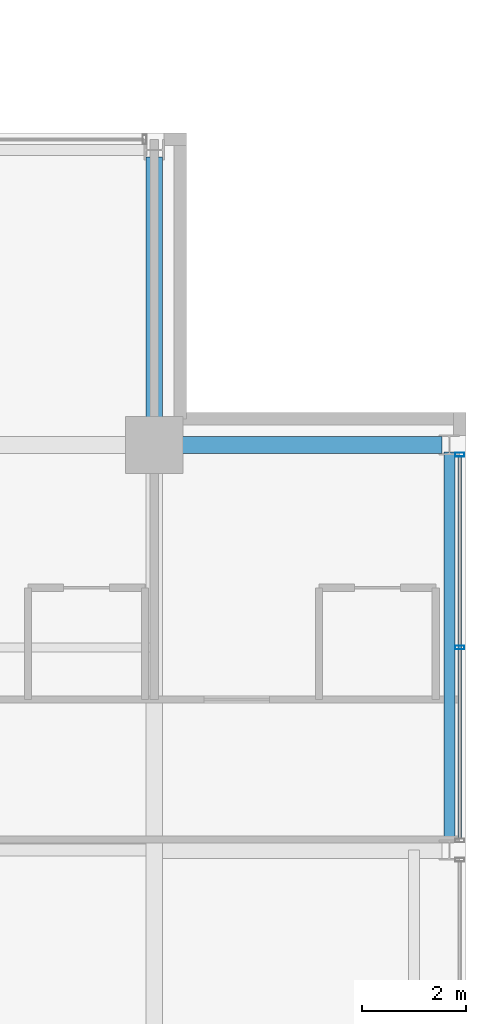
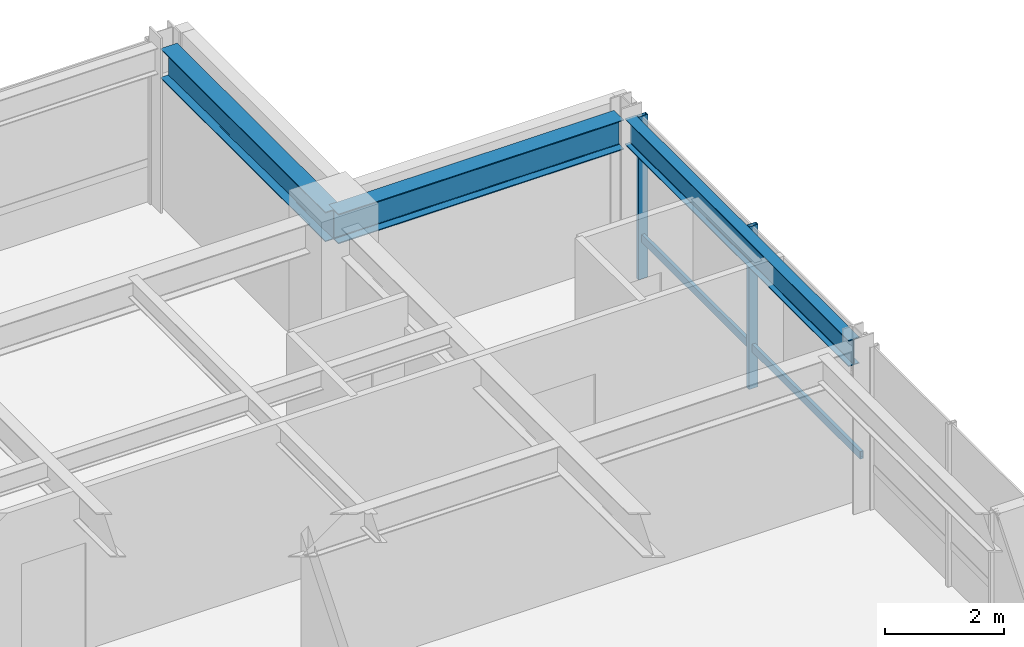
# One storey, part 22 of 30: 3 beams, 3 members, 1 element without a shape of its own.
"""IFC4 building model written with IfcOpenShell, lengths in metres."""

from ifc_helpers import new_model, si_unit, direction, frame, origin, origin_2d, place, context, subcontext, project, spatial, hollow_rectangle, i_section, extrude, material, layer, layer_set, material_profile, profile_set, type_object, element, aggregate, save


model = new_model("IFC4")

# Units and contexts
model_context = context("Model", 3, precision=1e-05, world=origin(), true_north=direction((0.0, 1.0)))
body_context = subcontext(model_context, "Body", "Model", "MODEL_VIEW")
ifc_project = project(units=[si_unit("LENGTHUNIT", "METRE"), si_unit("AREAUNIT", "SQUARE_METRE"), si_unit("VOLUMEUNIT", "CUBIC_METRE"), si_unit("PLANEANGLEUNIT", "RADIAN"), si_unit("MASSUNIT", "GRAM", prefix="KILO")], contexts=[model_context])

# Site, building, storey
site_placement = place(None, origin())
site = spatial("IfcSite", under=ifc_project, at=site_placement, CompositionType="ELEMENT")
building_placement = place(site_placement, origin())
building = spatial("IfcBuilding", under=site, at=building_placement, Name="Drelvath Grand Hotel", CompositionType="ELEMENT")
storey_placement = place(building_placement, frame((0.0, 0.0, 215.89990234375)))
storey = spatial("IfcBuildingStorey", under=building, at=storey_placement, Name="L56", CompositionType="ELEMENT", Elevation=215.89990234375)

# Curtain wall, members
ifc_material_1 = material(Name="Platinum-Mist Anodised Aluminium Frame", Category="aluminium")
ifc_layer = layer(ifc_material_1, 0.199951171875)
ifc_layer_set = layer_set([ifc_layer], Name="Platinum-Mist Anodised Aluminium Frame")
curtain_wall_type = type_object("IfcCurtainWallType", Name="Stick Curtain Wall CW-05 Platinum Mist High-Rise", PredefinedType="NOTDEFINED", material=ifc_layer_set)
curtain_wall_placement = place(storey_placement, origin())
curtain_wall = element("IfcCurtainWall", 1, at=curtain_wall_placement, inside=storey, type_object=curtain_wall_type, Name="L56 CW-05 Curtain Wall CW05-L56-EN2", PredefinedType="NOTDEFINED")
ifc_material_profile_1 = material_profile(ifc_material_1, hollow_rectangle(XDim=0.06494140625, YDim=0.159912109375, WallThickness=0.00390625, at=origin_2d()), Name="HSS160X65X4")
ifc_profile_set_1 = profile_set([ifc_material_profile_1], Name="Platinum-Mist Anodised Aluminium Frame")
member_type_1 = type_object("IfcMemberType", Name="Curtain Wall Horizontal Transom CW-05 HSS160X65X4", PredefinedType="USERDEFINED", material=ifc_profile_set_1)
member_1_placement = place(storey_placement, frame((22.080078125, 42.974609375, 0.835205078125), z_axis=(0.0, -1.0, 0.0), x_axis=(1.0, 0.0, 0.0)))
member_1 = element("IfcMember", 2, at=member_1_placement, type_object=member_type_1, Name="CW05-L56-EN2 Sill Transom", ObjectType="TRANSOM", PredefinedType="USERDEFINED", context=body_context, shape_type="SweptSolid", body=[
    extrude(hollow_rectangle(XDim=0.06494140625, YDim=0.159912109375, WallThickness=0.00390625, at=origin_2d()), origin(), (0.0, 0.0, 1.0), 7.349365234375),
])
ifc_material_profile_2 = material_profile(ifc_material_1, hollow_rectangle(XDim=0.074951171875, YDim=0.179931640625, WallThickness=0.0048828125, at=origin_2d()), Name="HSS180X75X5")
ifc_profile_set_2 = profile_set([ifc_material_profile_2], Name="Platinum-Mist Anodised Aluminium Frame")
member_type_2 = type_object("IfcMemberType", Name="Curtain Wall Vertical Mullion CW-05 HSS180X75X5", PredefinedType="MULLION", material=ifc_profile_set_2)
member_2_placement = place(storey_placement, frame((22.080078125, 43.0146484375, 0.0), z_axis=(0.0, 0.0, 1.0), x_axis=(0.0, 1.0, 0.0)))
member_2 = element("IfcMember", 3, at=member_2_placement, type_object=member_type_2, Name="CW05-L56-EN2 Mullion 1", PredefinedType="MULLION", context=body_context, shape_type="SweptSolid", body=[
    extrude(hollow_rectangle(XDim=0.074951171875, YDim=0.179931640625, WallThickness=0.0048828125, at=origin_2d()), origin(), (0.0, 0.0, 1.0), 3.340087890625),
])
member_3_placement = place(storey_placement, frame((22.080078125, 39.300048828125, 0.0), z_axis=(0.0, 0.0, 1.0), x_axis=(0.0, 1.0, 0.0)))
member_3 = element("IfcMember", 4, at=member_3_placement, type_object=member_type_2, Name="CW05-L56-EN2 Mullion 2", PredefinedType="MULLION", context=body_context, shape_type="SweptSolid", body=[
    extrude(hollow_rectangle(XDim=0.074951171875, YDim=0.179931640625, WallThickness=0.0048828125, at=origin_2d()), origin(), (0.0, 0.0, 1.0), 3.340087890625),
])
aggregate(curtain_wall, [member_2, member_3, member_1])

# Beams
ifc_material_2 = material(Name="Steel ASTM A992 Gr 50", Category="steel")
ifc_material_profile_3 = material_profile(ifc_material_2, i_section(OverallWidth=0.210205078125, OverallDepth=0.53662109375, WebThickness=0.010986328125, FlangeThickness=0.017333984375, FilletRadius=0.01806640625, at=origin_2d()), Name="W21X68")
ifc_profile_set_3 = profile_set([ifc_material_profile_3], Name="Steel ASTM A992 Gr 50")
beam_type_1 = type_object("IfcBeamType", Name="Perimeter Spandrel Beam W21X68", PredefinedType="SPANDREL", material=ifc_profile_set_3)
beam_placement = place(storey_placement, frame((21.8798828125, 35.5400390625, 3.07177734375), z_axis=(0.0, 1.0, 0.0), x_axis=(-1.0, 0.0, 0.0)))
element("IfcBeam", 5, at=beam_placement, inside=storey, type_object=beam_type_1, Name="L56 Spandrel East N", PredefinedType="SPANDREL", context=body_context, shape_type="SweptSolid", body=[
    extrude(i_section(OverallWidth=0.210205078125, OverallDepth=0.53662109375, WebThickness=0.010986328125, FlangeThickness=0.017333984375, FilletRadius=0.01806640625, at=origin_2d()), origin(), (0.0, 0.0, 1.0), 7.52001953125),
])
ifc_material_profile_4 = material_profile(ifc_material_2, i_section(OverallWidth=0.323974609375, OverallDepth=0.611083984375, WebThickness=0.0126953125, FlangeThickness=0.01904296875, FilletRadius=0.02197265625, at=origin_2d()), Name="W24X104")
ifc_profile_set_4 = profile_set([ifc_material_profile_4], Name="Steel ASTM A992 Gr 50")
beam_type_2 = type_object("IfcBeamType", Name="Primary Floor Girder W24X104", PredefinedType="BEAM", material=ifc_profile_set_4)
for number, where, z_axis, x_axis, name in (
    (6, (16.199951171875, 43.199951171875, 3.034423828125), (1.0, 0.0, 0.0), (0.0, 1.0, 0.0), "L56 East Grid Girder G"),
    (7, (16.199951171875, 43.199951171875, 3.034423828125), (0.0, 1.0, 0.0), (-1.0, 0.0, 0.0), "L56 North Grid Girder 7"),
):
    element("IfcBeam", number, at=place(storey_placement, frame(where, z_axis=z_axis, x_axis=x_axis)), inside=storey, type_object=beam_type_2, Name=name, PredefinedType="BEAM", context=body_context, shape_type="SweptSolid", body=[
        extrude(i_section(OverallWidth=0.323974609375, OverallDepth=0.611083984375, WebThickness=0.0126953125, FlangeThickness=0.01904296875, FilletRadius=0.02197265625, at=origin_2d()), origin(), (0.0, 0.0, 1.0), 5.5400390625),
    ])

save(model, "model.ifc")
